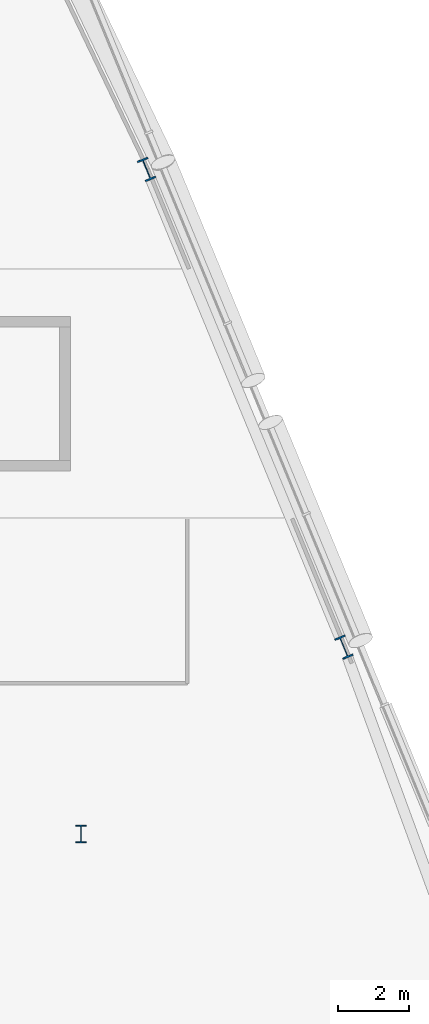
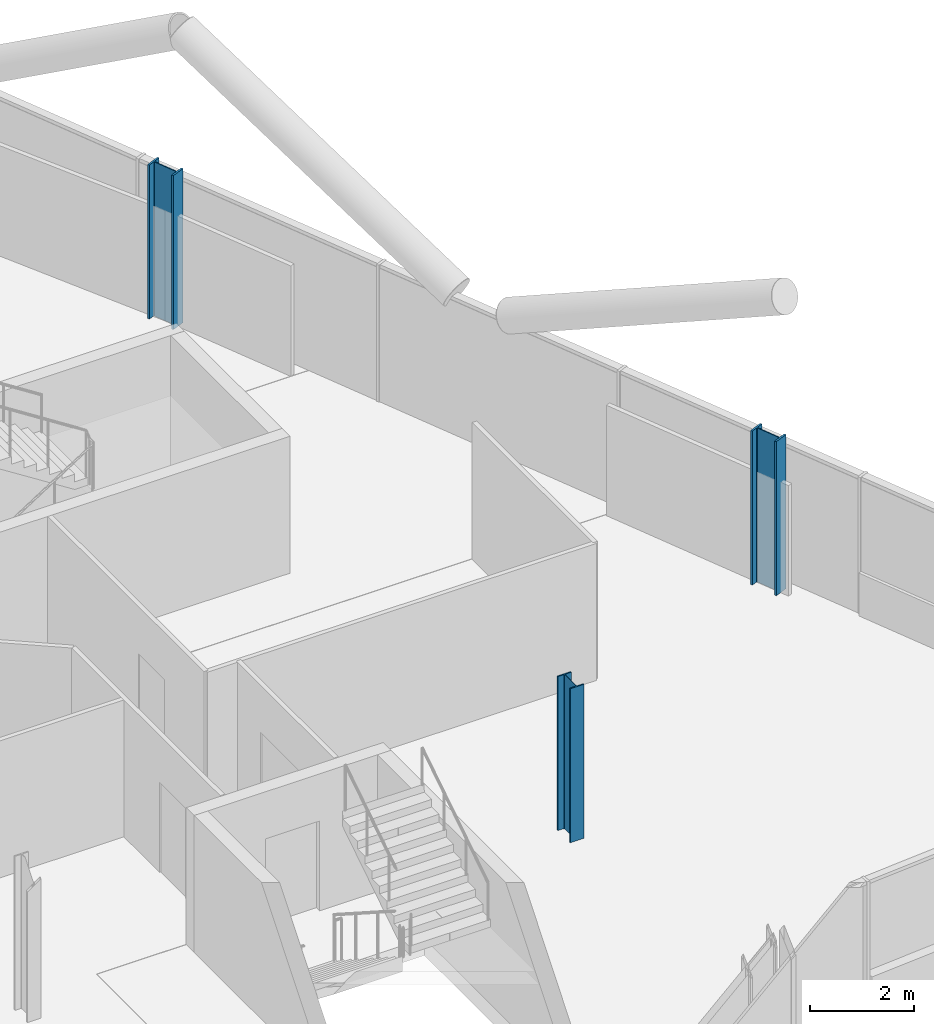
# One storey, part 5 of 26: 3 columns.
"""IFC4 building model written with IfcOpenShell, lengths in metres."""

import ifcopenshell
import ifcopenshell.guid

model = None  # the IFC model being written
_history = None  # IfcOwnerHistory: only IFC2X3 demands one
_inside = {}  # id of a spatial element -> (the spatial element, [elements in it])
_under = {}  # id of a project, library or spatial element -> (it, [spatial elements below it])
_declared = {}  # id of a project -> (the project, [libraries it declares])
_typed = {}  # id of a type object -> (the type object, [elements of that type])
_made_of = {}  # id of a material, layer set ... -> (it, [elements and type objects made of it])


def new_model(schema):
    """Start an empty IFC model of exactly this schema.

    Asked for "IFC4X3", IfcOpenShell would pick the latest addendum, in which some entities
    have other attributes; the version numbers below select the first issue.
    IFC2X3 requires an IfcOwnerHistory on every rooted entity: one is made here for all.
    """
    global model, _history
    if schema == "IFC4X3":
        model = ifcopenshell.file(schema_version=(4, 3, 0, 0))
    else:
        model = ifcopenshell.file(schema=schema)
    _inside.clear()
    _under.clear()
    _declared.clear()
    _typed.clear()
    _made_of.clear()
    _history = None
    if model.schema == "IFC2X3":
        org = make("IfcOrganization", Name="unknown")
        user = make(
            "IfcPersonAndOrganization",
            ThePerson=make("IfcPerson", FamilyName="unknown"),
            TheOrganization=org,
        )
        app = make(
            "IfcApplication",
            ApplicationDeveloper=org,
            Version="unknown",
            ApplicationFullName="unknown",
            ApplicationIdentifier="unknown",
        )
        _history = make(
            "IfcOwnerHistory",
            OwningUser=user,
            OwningApplication=app,
            ChangeAction="ADDED",
            CreationDate=0,
        )
    return model


def make(cls, **values):
    """One entity of the class cls with the attributes given. An attribute that is None is left unset."""
    return model.create_entity(
        cls, **{name: value for name, value in values.items() if value is not None}
    )


def rooted(cls, **values):
    """An entity with a GlobalId (a new one), such as an element, a storey or a relation."""
    return make(cls, GlobalId=ifcopenshell.guid.new(), OwnerHistory=_history, **values)


def si_unit(unit_type, name, prefix=None):
    """IfcSIUnit, for example si_unit("LENGTHUNIT", "METRE", prefix="MILLI")."""
    return make("IfcSIUnit", UnitType=unit_type, Prefix=prefix, Name=name)


def assignment(units):
    """IfcUnitAssignment: the units of a project."""
    return None if units is None else make("IfcUnitAssignment", Units=units)


def point(xyz):
    """IfcCartesianPoint."""
    return None if xyz is None else make("IfcCartesianPoint", Coordinates=xyz)


def direction(xyz):
    """IfcDirection."""
    return None if xyz is None else make("IfcDirection", DirectionRatios=xyz)


def frame(location, z_axis=None, x_axis=None):
    """IfcAxis2Placement3D, a coordinate frame: its origin and axes. An axis left out is left unset."""
    return make(
        "IfcAxis2Placement3D",
        Location=point(location),
        Axis=direction(z_axis),
        RefDirection=direction(x_axis),
    )


def frame_2d(location, x_axis=None):
    """IfcAxis2Placement2D, a coordinate frame in the plane: its origin and x axis."""
    return make(
        "IfcAxis2Placement2D", Location=point(location), RefDirection=direction(x_axis)
    )


def origin():
    """The frame at (0, 0, 0) with its axes left unset."""
    return frame((0.0, 0.0, 0.0))


def origin_2d():
    """The frame at (0, 0) in the plane with its x axis left unset."""
    return frame_2d((0.0, 0.0))


def place(relative_to, where):
    """IfcLocalPlacement: puts the frame where relative to a parent placement (None: the world)."""
    return make(
        "IfcLocalPlacement", PlacementRelTo=relative_to, RelativePlacement=where
    )


def context(
    kind, dimensions, precision=None, world=None, true_north=None, identifier=None
):
    """IfcGeometricRepresentationContext, for example the 3D "Model" context."""
    return make(
        "IfcGeometricRepresentationContext",
        ContextIdentifier=identifier,
        ContextType=kind,
        CoordinateSpaceDimension=dimensions,
        Precision=precision,
        WorldCoordinateSystem=world,
        TrueNorth=true_north,
    )


def subcontext(parent, identifier, kind, view, scale=None):
    """IfcGeometricRepresentationSubContext, for example "Body" below "Model"."""
    return make(
        "IfcGeometricRepresentationSubContext",
        ContextIdentifier=identifier,
        ContextType=kind,
        ParentContext=parent,
        TargetScale=scale,
        TargetView=view,
    )


def project(units=None, contexts=None):
    """IfcProject with its units and contexts."""
    return rooted(
        "IfcProject",
        Name="project",
        RepresentationContexts=contexts,
        UnitsInContext=assignment(units),
    )


def spatial(cls, under=None, at=None, **own):
    """A site, building, storey or space (cls), placed at a placement, below another one or the project."""
    s = rooted(cls, ObjectPlacement=at, **own)
    if under is not None:
        _under.setdefault(under.id(), (under, []))[1].append(s)
    return s


def profile(cls, at=None, kind="AREA", **sizes):
    """A parametric profile (cls). Its sizes go by their IFC names, for example OverallWidth=200.0."""
    return make(cls, ProfileType=kind, Position=at, **sizes)


def i_section(**sizes):
    """IfcIShapeProfileDef."""
    return profile("IfcIShapeProfileDef", **sizes)


def extrude(swept, where, along, depth):
    """IfcExtrudedAreaSolid: the profile swept, set in the frame where, extruded along a direction by depth."""
    return make(
        "IfcExtrudedAreaSolid",
        SweptArea=swept,
        Position=where,
        ExtrudedDirection=direction(along),
        Depth=depth,
    )


def shape(context_of_items, identifier, shape_type, items):
    """IfcShapeRepresentation: the items that make up one representation, for example the "Body"."""
    return make(
        "IfcShapeRepresentation",
        ContextOfItems=context_of_items,
        RepresentationIdentifier=identifier,
        RepresentationType=shape_type,
        Items=items,
    )


def material(Name=None, Category=None):
    """IfcMaterial."""
    return make("IfcMaterial", Name=Name, Category=Category)


def material_profile(
    of_material, cross_section, Name=None, Category=None, Priority=None
):
    """IfcMaterialProfile: a cross section and its material."""
    return make(
        "IfcMaterialProfile",
        Name=Name,
        Material=of_material,
        Profile=cross_section,
        Priority=Priority,
        Category=Category,
    )


def profile_set(profiles, Name=None, composite=None):
    """IfcMaterialProfileSet."""
    return make(
        "IfcMaterialProfileSet",
        Name=Name,
        MaterialProfiles=profiles,
        CompositeProfile=composite,
    )


def made_of(thing, what):
    """Note that an element or type object is made of a material, layer set ...; save() writes the relation."""
    if what is not None:
        _made_of.setdefault(what.id(), (what, []))[1].append(thing)
    return thing


def type_object(cls, material=None, **own):
    """A type object (cls), such as IfcWallType, which elements share."""
    return made_of(rooted(cls, **own), material)


def element(
    cls,
    number,
    at=None,
    inside=None,
    cuts=None,
    type_object=None,
    material=None,
    context=None,
    identifier="Body",
    shape_type=None,
    held_by="IfcProductDefinitionShape",
    body=None,
    shapes=None,
    **own,
):
    """One element of the class cls, such as IfcWall. Its Tag is "e" and its number.

    at: its placement. inside: the storey or other place that contains it. cuts: it is an
    opening in that element (IfcRelVoidsElement). A single representation is given by context,
    identifier, shape_type and body (its items); several are given by shapes. held_by: the class
    of the entity that holds the representations. save() writes the other relations.
    """
    e = rooted(cls, Tag="e%d" % number, ObjectPlacement=at, **own)
    if body is not None:
        shapes = [shape(context, identifier, shape_type, body)]
    if shapes is not None:
        e.Representation = make(held_by, Representations=shapes)
    if inside is not None:
        _inside.setdefault(inside.id(), (inside, []))[1].append(e)
    if cuts is not None:
        rooted(
            "IfcRelVoidsElement", RelatingBuildingElement=cuts, RelatedOpeningElement=e
        )
    if type_object is not None:
        _typed.setdefault(type_object.id(), (type_object, []))[1].append(e)
    return made_of(e, material)


def aggregate(whole, parts):
    """IfcRelAggregates: a whole, such as a stair, and the parts it consists of."""
    return rooted("IfcRelAggregates", RelatingObject=whole, RelatedObjects=parts)


def save(model, path):
    """Write the relations noted so far, then the file.

    IfcRelAggregates (storeys below a building ...), IfcRelContainedInSpatialStructure (elements
    in a storey), IfcRelDefinesByType, IfcRelAssociatesMaterial and IfcRelDeclares: one each for
    every whole, place, type object, material and project.
    """
    for whole, parts in _under.values():
        aggregate(whole, parts)
    for where, things in _inside.values():
        rooted(
            "IfcRelContainedInSpatialStructure",
            RelatedElements=things,
            RelatingStructure=where,
        )
    for kind, things in _typed.values():
        rooted("IfcRelDefinesByType", RelatedObjects=things, RelatingType=kind)
    for what, things in _made_of.values():
        rooted("IfcRelAssociatesMaterial", RelatedObjects=things, RelatingMaterial=what)
    for by, libraries in _declared.values():
        rooted("IfcRelDeclares", RelatingContext=by, RelatedDefinitions=libraries)
    model.write(path)


model = new_model("IFC4")

# Units and contexts
model_context = context("Model", 3, precision=1e-05, world=origin(), true_north=direction((0.0, 1.0)))
body_context = subcontext(model_context, "Body", "Model", "MODEL_VIEW")
ifc_project = project(units=[si_unit("LENGTHUNIT", "METRE"), si_unit("AREAUNIT", "SQUARE_METRE"), si_unit("VOLUMEUNIT", "CUBIC_METRE"), si_unit("PLANEANGLEUNIT", "RADIAN"), si_unit("MASSUNIT", "GRAM", prefix="KILO")], contexts=[model_context])

# Site, building, storey
site_placement = place(None, origin())
site = spatial("IfcSite", under=ifc_project, at=site_placement, CompositionType="ELEMENT")
building_placement = place(site_placement, origin())
building = spatial("IfcBuilding", under=site, at=building_placement, Name="Wharfspan Tower", CompositionType="ELEMENT")
storey_placement = place(building_placement, frame((0.0, 0.0, 166.300049)))
storey = spatial("IfcBuildingStorey", under=building, at=storey_placement, Name="L40", CompositionType="ELEMENT", Elevation=166.300049)

# Columns
ifc_material = material(Name="Steel S355J2", Category="steel")
ifc_material_profile_1 = material_profile(ifc_material, i_section(OverallWidth=0.300049, OverallDepth=0.5, WebThickness=0.014404, FlangeThickness=0.028076, FilletRadius=0.0271, at=origin_2d()))
ifc_profile_set_1 = profile_set([ifc_material_profile_1], Name="Steel S355J2")
column_type_1 = type_object("IfcColumnType", Name="Column HEB 500", PredefinedType="COLUMN", material=ifc_profile_set_1)
column_placement = place(storey_placement, frame((72.0, 11.5, 0.0), z_axis=(0.0, 0.0, 1.0), x_axis=(1.0, 0.0, 0.0)))
element("IfcColumn", 1, at=column_placement, inside=storey, type_object=column_type_1, Name="Interior column I.1.5 L40", PredefinedType="COLUMN", context=body_context, shape_type="SweptSolid", body=[
    extrude(i_section(OverallWidth=0.300049, OverallDepth=0.5, WebThickness=0.014404, FlangeThickness=0.028076, FilletRadius=0.0271, at=origin_2d()), origin(), (0.0, 0.0, 1.0), 3.599854),
])
ifc_material_profile_2 = material_profile(ifc_material, i_section(OverallWidth=0.304932, OverallDepth=0.620117, WebThickness=0.020996, FlangeThickness=0.040039, FilletRadius=0.0271, at=origin_2d()))
ifc_profile_set_2 = profile_set([ifc_material_profile_2], Name="Steel S355J2")
column_type_2 = type_object("IfcColumnType", Name="Column HEM 600", PredefinedType="COLUMN", material=ifc_profile_set_2)
for number, where, z_axis, x_axis, name in (
    (2, (79.409668, 16.761719, 0.0), (0.0, 0.0, 1.0), (0.924325, 0.381602, 0.0), "Perimeter column PE.1 L40"),
    (3, (73.85376, 30.219238, 0.0), (0.0, 0.0, 1.0), (0.924325, 0.381602, 0.0), "Perimeter column PE.2 L40"),
):
    element("IfcColumn", number, at=place(storey_placement, frame(where, z_axis=z_axis, x_axis=x_axis)), inside=storey, type_object=column_type_2, Name=name, PredefinedType="COLUMN", context=body_context, shape_type="SweptSolid", body=[
        extrude(i_section(OverallWidth=0.304932, OverallDepth=0.620117, WebThickness=0.020996, FlangeThickness=0.040039, FilletRadius=0.0271, at=origin_2d()), origin(), (0.0, 0.0, 1.0), 3.599854),
    ])

save(model, "model.ifc")
